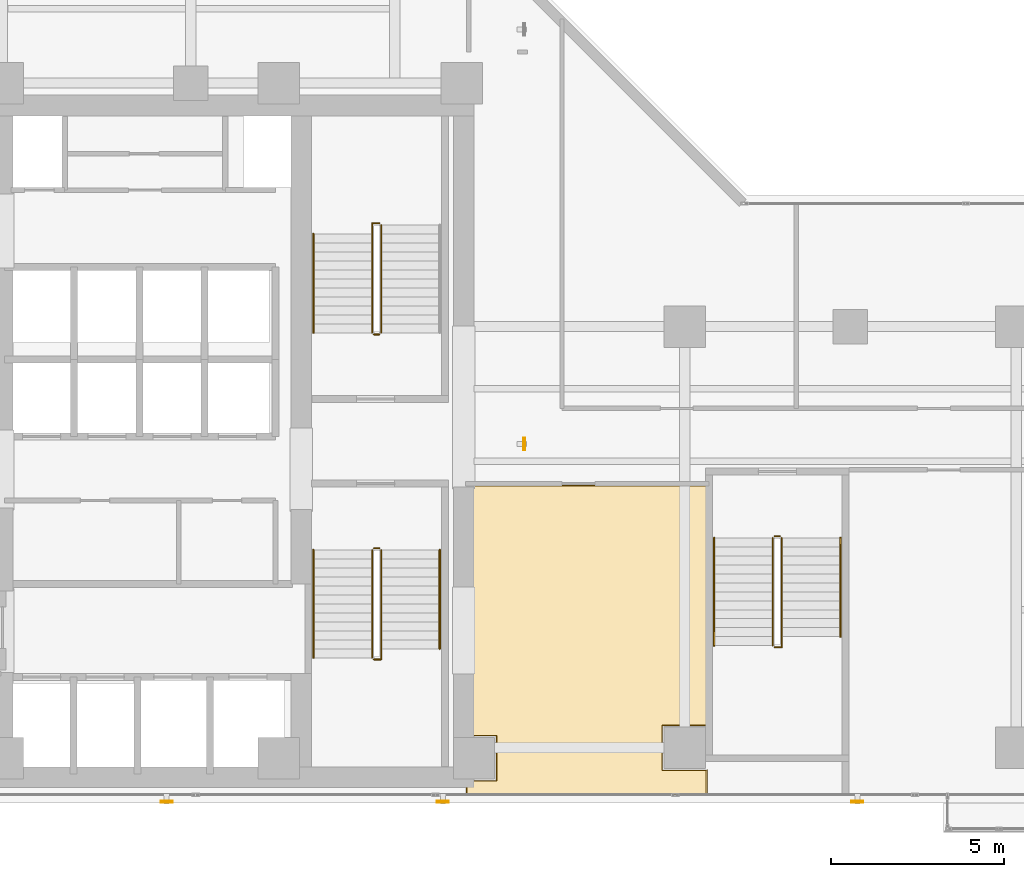
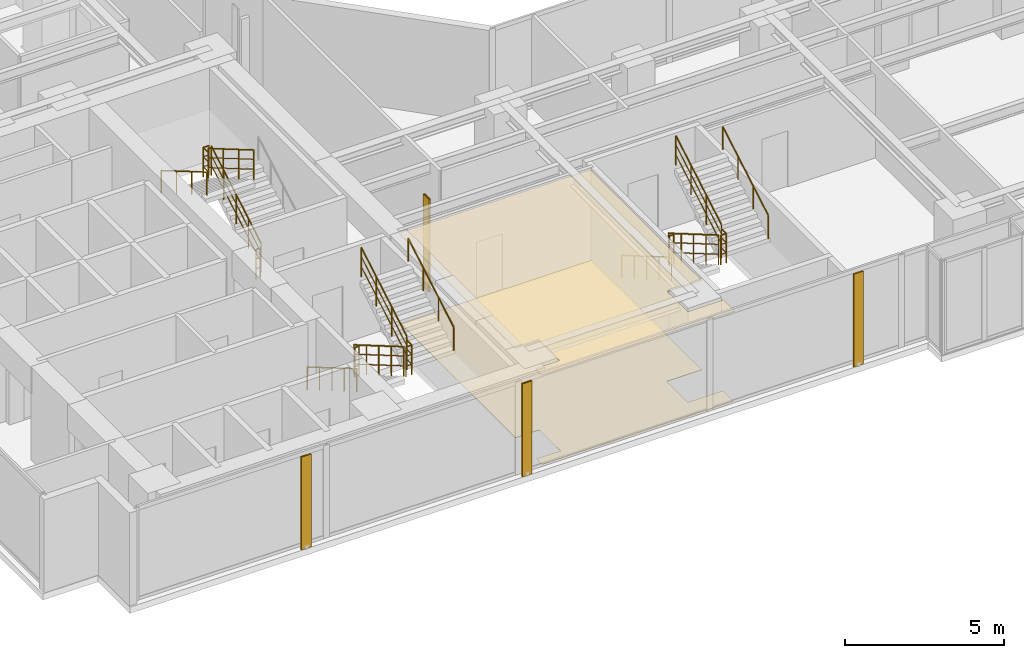
# One storey, part 24 of 27: 17 railings, 4 shading devices, 2 coverings.
"""IFC4 building model written with IfcOpenShell, lengths in metres."""

from ifc_helpers import new_model, si_unit, direction, frame, origin, origin_2d, place, context, subcontext, project, spatial, polyline, hollow_rectangle, circle, outline, extrude, material, layer, layer_set, material_profile, profile_set, type_object, element, save


model = new_model("IFC4")

# Units and contexts
model_context = context("Model", 3, precision=1e-05, world=origin(), true_north=direction((0.0, 1.0)))
body_context = subcontext(model_context, "Body", "Model", "MODEL_VIEW")
ifc_project = project(units=[si_unit("LENGTHUNIT", "METRE"), si_unit("AREAUNIT", "SQUARE_METRE"), si_unit("VOLUMEUNIT", "CUBIC_METRE"), si_unit("PLANEANGLEUNIT", "RADIAN"), si_unit("MASSUNIT", "GRAM", prefix="KILO")], contexts=[model_context])

# Site, building, storey
site_placement = place(None, origin())
site = spatial("IfcSite", under=ifc_project, at=site_placement, CompositionType="ELEMENT")
building_placement = place(site_placement, origin())
building = spatial("IfcBuilding", under=site, at=building_placement, Name="Kolvaren Waterfront Exchange", CompositionType="ELEMENT")
storey_placement = place(building_placement, frame((0.0, 0.0, 176.60009765625)))
storey = spatial("IfcBuildingStorey", under=building, at=storey_placement, Name="L45", CompositionType="ELEMENT", Elevation=176.60009765625)

# Covering
ifc_material_1 = material(Name="Mineral fibre acoustic ceiling tile")
ifc_layer_1 = layer(ifc_material_1, 0.02490234375, Name="Mineral fibre acoustic ceiling tile")
ifc_layer_set_1 = layer_set([ifc_layer_1], Name="Mineral fibre acoustic ceiling tile")
covering_type_1 = type_object("IfcCoveringType", Name="ARC-CEIL-ACOUSTIC-25", PredefinedType="CEILING", material=ifc_layer_set_1)
covering_1_placement = place(storey_placement, frame((0.0, 0.0, 3.44482421875)))
element("IfcCovering", 1, at=covering_1_placement, inside=storey, type_object=covering_type_1, Name="L45 acoustic suspended ceiling 3", PredefinedType="CEILING", context=body_context, shape_type="SweptSolid", body=[
    extrude(outline(polyline([(20.864990234375, 5.5400390625), (21.739990234375, 5.5400390625), (21.739990234375, 4.260009765625), (20.864990234375, 4.260009765625), (20.864990234375, 3.844970703125), (27.85498046875, 3.844970703125), (27.85498046875, 4.574951171875), (27.840087890625, 4.574951171875), (27.840087890625, 4.56005859375), (26.56005859375, 4.56005859375), (26.56005859375, 5.840087890625), (27.800048828125, 5.840087890625), (27.800048828125, 12.81494140625), (20.864990234375, 12.81494140625), (20.864990234375, 5.5400390625)])), origin(), (0.0, 0.0, 1.0), 0.025146484375),
])

# Shading devices
ifc_material_2 = material(Name="Anodised bronze aluminium 6063-T6", Category="aluminium")
ifc_material_profile = material_profile(ifc_material_2, hollow_rectangle(XDim=0.06005859375, YDim=0.35009765625, WallThickness=0.0048828125, at=origin_2d()), Name="BRZ-FIN-350x60x5")
ifc_profile_set = profile_set([ifc_material_profile], Name="Anodised bronze aluminium 6063-T6")
shading_device_type = type_object("IfcShadingDeviceType", Name="ARC-FIN-350", PredefinedType="USERDEFINED", material=ifc_profile_set)
for number, where, z_axis, x_axis, name in (
    (2, (12.199951171875, 3.639892578125, 0.0), (0.0, 0.0, 1.0), (0.0, -1.0, 0.0), "L45 anodised bronze solar shading fin FIN-L45-S1"),
    (3, (20.199951171875, 3.639892578125, 0.0), (0.0, 0.0, 1.0), (0.0, -1.0, 0.0), "L45 anodised bronze solar shading fin FIN-L45-S2"),
    (4, (32.199951171875, 3.639892578125, 0.0), (0.0, 0.0, 1.0), (0.0, -1.0, 0.0), "L45 anodised bronze solar shading fin FIN-L45-S3"),
    (5, (22.56005859375, 14.0, 0.0), (0.0, 0.0, 1.0), (1.0, 0.0, 0.0), "L45 anodised bronze solar shading fin FIN-L45-E1"),
):
    element("IfcShadingDevice", number, at=place(storey_placement, frame(where, z_axis=z_axis, x_axis=x_axis)), inside=storey, type_object=shading_device_type, Name=name, ObjectType="SOLAR FIN", PredefinedType="USERDEFINED", context=body_context, shape_type="SweptSolid", body=[
        extrude(hollow_rectangle(XDim=0.06005859375, YDim=0.35009765625, WallThickness=0.0048828125, at=origin_2d()), origin(), (0.0, 0.0, 1.0), 3.559814453125),
    ])

# Covering
ifc_material_3 = material(Name="Slip-resistant porcelain tile")
ifc_layer_2 = layer(ifc_material_3, 0.014892578125, Name="Slip-resistant porcelain tile")
ifc_layer_set_2 = layer_set([ifc_layer_2], Name="Slip-resistant porcelain tile")
covering_type_2 = type_object("IfcCoveringType", Name="ARC-FLR-PORC-15", PredefinedType="FLOORING", material=ifc_layer_set_2)
covering_2_placement = place(storey_placement, origin())
element("IfcCovering", 6, at=covering_2_placement, inside=storey, type_object=covering_type_2, Name="L45 floor finish 3", PredefinedType="FLOORING", context=body_context, shape_type="SweptSolid", body=[
    extrude(outline(polyline([(20.89990234375, 4.239990234375), (20.89990234375, 3.8798828125), (27.820068359375, 3.8798828125), (27.820068359375, 4.5400390625), (26.5400390625, 4.5400390625), (26.5400390625, 5.860107421875), (27.820068359375, 5.860107421875), (27.820068359375, 12.780029296875), (20.89990234375, 12.780029296875), (20.89990234375, 5.56005859375), (21.760009765625, 5.56005859375), (21.760009765625, 4.239990234375), (20.89990234375, 4.239990234375)])), origin(), (0.0, 0.0, 1.0), 0.014892578125),
])

# Railings
ifc_material_4 = material(Name="Stainless steel 316", Category="steel")
railing_type_1 = type_object("IfcRailingType", Name="ARC-GUARD-STAIR", PredefinedType="GUARDRAIL", material=ifc_material_4)
railing_1_placement = place(storey_placement, frame((18.14990234375, 10.929931640625, 0.15185546875)))
element("IfcRailing", 7, at=railing_1_placement, inside=storey, type_object=railing_type_1, Name="L45 ST1 stair guard 1", PredefinedType="GUARDRAIL", context=body_context, shape_type="SweptSolid", body=[
    extrude(circle(Radius=0.02392578125, at=origin_2d()), frame((0.0, 0.0, 1.1259765625), z_axis=(0.0, -0.86329090724, 0.504706656858), x_axis=(1.0, 0.0, 0.0)), (0.0, 0.0, 1.0), 3.614013671875),
    extrude(circle(Radius=0.01611328125, at=origin_2d()), frame((0.0, 0.0, 0.390869140625), z_axis=(0.0, -0.86329090724, 0.504706656858), x_axis=(1.0, 0.0, 0.0)), (0.0, 0.0, 1.0), 3.614013671875),
    extrude(circle(Radius=0.01611328125, at=origin_2d()), frame((0.0, 0.0, 0.7705078125), z_axis=(0.0, -0.86329090724, 0.504706656858), x_axis=(1.0, 0.0, 0.0)), (0.0, 0.0, 1.0), 3.614013671875),
    extrude(circle(Radius=0.02099609375, at=origin_2d()), origin(), (0.0, 0.0, 1.0), 1.101806640625),
    extrude(circle(Radius=0.02099609375, at=origin_2d()), frame((0.0, -0.780029296875, 0.4560546875)), (0.0, 0.0, 1.0), 1.101806640625),
    extrude(circle(Radius=0.02099609375, at=origin_2d()), frame((0.0, -1.56005859375, 0.912109375)), (0.0, 0.0, 1.0), 1.101806640625),
    extrude(circle(Radius=0.02099609375, at=origin_2d()), frame((0.0, -2.33984375, 1.367919921875)), (0.0, 0.0, 1.0), 1.101806640625),
    extrude(circle(Radius=0.02099609375, at=origin_2d()), frame((0.0, -3.119873046875, 1.823974609375)), (0.0, 0.0, 1.0), 1.101806640625),
])
railing_2_placement = place(storey_placement, frame((18.199951171875, 7.760009765625, 1.975830078125)))
element("IfcRailing", 8, at=railing_2_placement, inside=storey, type_object=railing_type_1, Name="L45 ST1 stair guard 2", PredefinedType="GUARDRAIL", context=body_context, shape_type="SweptSolid", body=[
    extrude(circle(Radius=0.02392578125, at=origin_2d()), frame((0.0, 0.0, 1.1259765625), z_axis=(1.0, 0.0, 0.0), x_axis=(0.0, 1.0, 0.0)), (0.0, 0.0, 1.0), 0.2099609375),
    extrude(circle(Radius=0.01611328125, at=origin_2d()), frame((0.0, 0.0, 0.390869140625), z_axis=(1.0, 0.0, 0.0), x_axis=(0.0, 1.0, 0.0)), (0.0, 0.0, 1.0), 0.2099609375),
    extrude(circle(Radius=0.01611328125, at=origin_2d()), frame((0.0, 0.0, 0.7705078125), z_axis=(1.0, 0.0, 0.0), x_axis=(0.0, 1.0, 0.0)), (0.0, 0.0, 1.0), 0.2099609375),
    extrude(circle(Radius=0.02392578125, at=origin_2d()), frame((0.2099609375, 0.0, 1.1259765625), z_axis=(0.0, 1.0, 0.0), x_axis=(-1.0, 0.0, 0.0)), (0.0, 0.0, 1.0), 0.31005859375),
    extrude(circle(Radius=0.01611328125, at=origin_2d()), frame((0.2099609375, 0.0, 0.390869140625), z_axis=(0.0, 1.0, 0.0), x_axis=(-1.0, 0.0, 0.0)), (0.0, 0.0, 1.0), 0.31005859375),
    extrude(circle(Radius=0.01611328125, at=origin_2d()), frame((0.2099609375, 0.0, 0.7705078125), z_axis=(0.0, 1.0, 0.0), x_axis=(-1.0, 0.0, 0.0)), (0.0, 0.0, 1.0), 0.31005859375),
    extrude(circle(Radius=0.02099609375, at=origin_2d()), origin(), (0.0, 0.0, 1.0), 1.101806640625),
    extrude(circle(Radius=0.02099609375, at=origin_2d()), frame((0.2099609375, 0.0, 0.0)), (0.0, 0.0, 1.0), 1.101806640625),
    extrude(circle(Radius=0.02099609375, at=origin_2d()), frame((0.2099609375, 0.31005859375, 0.0)), (0.0, 0.0, 1.0), 1.101806640625),
])
railing_3_placement = place(storey_placement, frame((18.409912109375, 8.070068359375, 2.1279296875)))
element("IfcRailing", 9, at=railing_3_placement, inside=storey, type_object=railing_type_1, Name="L45 ST1 stair guard 3", PredefinedType="GUARDRAIL", context=body_context, shape_type="SweptSolid", body=[
    extrude(circle(Radius=0.02392578125, at=origin_2d()), frame((0.0, 0.0, 1.1259765625), z_axis=(0.0, 0.86330272217, 0.504686447108), x_axis=(-1.0, 0.0, 0.0)), (0.0, 0.0, 1.0), 3.312744140625),
    extrude(circle(Radius=0.01611328125, at=origin_2d()), frame((0.0, 0.0, 0.390869140625), z_axis=(0.0, 0.86330272217, 0.504686447108), x_axis=(-1.0, 0.0, 0.0)), (0.0, 0.0, 1.0), 3.312744140625),
    extrude(circle(Radius=0.01611328125, at=origin_2d()), frame((0.0, 0.0, 0.7705078125), z_axis=(0.0, 0.86330272217, 0.504686447108), x_axis=(-1.0, 0.0, 0.0)), (0.0, 0.0, 1.0), 3.312744140625),
    extrude(circle(Radius=0.02099609375, at=origin_2d()), origin(), (0.0, 0.0, 1.0), 1.101806640625),
    extrude(circle(Radius=0.02099609375, at=origin_2d()), frame((0.0, 0.953369140625, 0.557373046875)), (0.0, 0.0, 1.0), 1.101806640625),
    extrude(circle(Radius=0.02099609375, at=origin_2d()), frame((0.0, 1.906494140625, 1.114501953125)), (0.0, 0.0, 1.0), 1.101806640625),
    extrude(circle(Radius=0.02099609375, at=origin_2d()), frame((0.0, 2.85986328125, 1.671875)), (0.0, 0.0, 1.0), 1.101806640625),
])
railing_4_placement = place(storey_placement, frame((18.199951171875, 10.97998046875, 0.0)))
element("IfcRailing", 10, at=railing_4_placement, inside=storey, type_object=railing_type_1, Name="L45 ST1 stair guard 4", PredefinedType="GUARDRAIL", context=body_context, shape_type="SweptSolid", body=[
    extrude(circle(Radius=0.02392578125, at=origin_2d()), frame((0.0, 0.0, 1.1259765625), z_axis=(1.0, 0.0, 0.0), x_axis=(0.0, 1.0, 0.0)), (0.0, 0.0, 1.0), 0.16015625),
    extrude(circle(Radius=0.01611328125, at=origin_2d()), frame((0.0, 0.0, 0.390869140625), z_axis=(1.0, 0.0, 0.0), x_axis=(0.0, 1.0, 0.0)), (0.0, 0.0, 1.0), 0.16015625),
    extrude(circle(Radius=0.01611328125, at=origin_2d()), frame((0.0, 0.0, 0.7705078125), z_axis=(1.0, 0.0, 0.0), x_axis=(0.0, 1.0, 0.0)), (0.0, 0.0, 1.0), 0.16015625),
    extrude(circle(Radius=0.02099609375, at=origin_2d()), origin(), (0.0, 0.0, 1.0), 1.101806640625),
    extrude(circle(Radius=0.02099609375, at=origin_2d()), frame((0.16015625, 0.0, 0.0)), (0.0, 0.0, 1.0), 1.101806640625),
])
railing_5_placement = place(storey_placement, frame((18.409912109375, 17.219970703125, 0.15185546875)))
element("IfcRailing", 11, at=railing_5_placement, inside=storey, type_object=railing_type_1, Name="L45 ST2 stair guard 1", PredefinedType="GUARDRAIL", context=body_context, shape_type="SweptSolid", body=[
    extrude(circle(Radius=0.02392578125, at=origin_2d()), frame((0.0, 0.0, 1.1259765625), z_axis=(0.0, 0.86330811405, 0.504677223793), x_axis=(-1.0, 0.0, 0.0)), (0.0, 0.0, 1.0), 3.6142578125),
    extrude(circle(Radius=0.01611328125, at=origin_2d()), frame((0.0, 0.0, 0.390869140625), z_axis=(0.0, 0.86330811405, 0.504677223793), x_axis=(-1.0, 0.0, 0.0)), (0.0, 0.0, 1.0), 3.6142578125),
    extrude(circle(Radius=0.01611328125, at=origin_2d()), frame((0.0, 0.0, 0.7705078125), z_axis=(0.0, 0.86330811405, 0.504677223793), x_axis=(-1.0, 0.0, 0.0)), (0.0, 0.0, 1.0), 3.6142578125),
    extrude(circle(Radius=0.02099609375, at=origin_2d()), origin(), (0.0, 0.0, 1.0), 1.101806640625),
    extrude(circle(Radius=0.02099609375, at=origin_2d()), frame((0.0, 0.780029296875, 0.4560546875)), (0.0, 0.0, 1.0), 1.101806640625),
    extrude(circle(Radius=0.02099609375, at=origin_2d()), frame((0.0, 1.56005859375, 0.912109375)), (0.0, 0.0, 1.0), 1.101806640625),
    extrude(circle(Radius=0.02099609375, at=origin_2d()), frame((0.0, 2.340087890625, 1.367919921875)), (0.0, 0.0, 1.0), 1.101806640625),
    extrude(circle(Radius=0.02099609375, at=origin_2d()), frame((0.0, 3.1201171875, 1.823974609375)), (0.0, 0.0, 1.0), 1.101806640625),
])
railing_6_placement = place(storey_placement, frame((18.360107421875, 20.389892578125, 1.975830078125)))
element("IfcRailing", 12, at=railing_6_placement, inside=storey, type_object=railing_type_1, Name="L45 ST2 stair guard 2", PredefinedType="GUARDRAIL", context=body_context, shape_type="SweptSolid", body=[
    extrude(circle(Radius=0.02392578125, at=origin_2d()), frame((0.0, 0.0, 1.1259765625), z_axis=(-1.0, 0.0, 0.0), x_axis=(0.0, -1.0, 0.0)), (0.0, 0.0, 1.0), 0.210205078125),
    extrude(circle(Radius=0.01611328125, at=origin_2d()), frame((0.0, 0.0, 0.390869140625), z_axis=(-1.0, 0.0, 0.0), x_axis=(0.0, -1.0, 0.0)), (0.0, 0.0, 1.0), 0.210205078125),
    extrude(circle(Radius=0.01611328125, at=origin_2d()), frame((0.0, 0.0, 0.7705078125), z_axis=(-1.0, 0.0, 0.0), x_axis=(0.0, -1.0, 0.0)), (0.0, 0.0, 1.0), 0.210205078125),
    extrude(circle(Radius=0.02392578125, at=origin_2d()), frame((-0.210205078125, 0.0, 1.1259765625), z_axis=(0.0, -1.0, 0.0), x_axis=(1.0, 0.0, 0.0)), (0.0, 0.0, 1.0), 0.309814453125),
    extrude(circle(Radius=0.01611328125, at=origin_2d()), frame((-0.210205078125, 0.0, 0.390869140625), z_axis=(0.0, -1.0, 0.0), x_axis=(1.0, 0.0, 0.0)), (0.0, 0.0, 1.0), 0.309814453125),
    extrude(circle(Radius=0.01611328125, at=origin_2d()), frame((-0.210205078125, 0.0, 0.7705078125), z_axis=(0.0, -1.0, 0.0), x_axis=(1.0, 0.0, 0.0)), (0.0, 0.0, 1.0), 0.309814453125),
    extrude(circle(Radius=0.02099609375, at=origin_2d()), origin(), (0.0, 0.0, 1.0), 1.101806640625),
    extrude(circle(Radius=0.02099609375, at=origin_2d()), frame((-0.210205078125, 0.0, 0.0)), (0.0, 0.0, 1.0), 1.101806640625),
    extrude(circle(Radius=0.02099609375, at=origin_2d()), frame((-0.210205078125, -0.309814453125, 0.0)), (0.0, 0.0, 1.0), 1.101806640625),
])
railing_7_placement = place(storey_placement, frame((18.14990234375, 20.080078125, 2.1279296875)))
element("IfcRailing", 13, at=railing_7_placement, inside=storey, type_object=railing_type_1, Name="L45 ST2 stair guard 3", PredefinedType="GUARDRAIL", context=body_context, shape_type="SweptSolid", body=[
    extrude(circle(Radius=0.02392578125, at=origin_2d()), frame((0.0, 0.0, 1.1259765625), z_axis=(0.0, -0.863321491973, 0.504654338629), x_axis=(1.0, 0.0, 0.0)), (0.0, 0.0, 1.0), 3.31298828125),
    extrude(circle(Radius=0.01611328125, at=origin_2d()), frame((0.0, 0.0, 0.390869140625), z_axis=(0.0, -0.863321491973, 0.504654338629), x_axis=(1.0, 0.0, 0.0)), (0.0, 0.0, 1.0), 3.31298828125),
    extrude(circle(Radius=0.01611328125, at=origin_2d()), frame((0.0, 0.0, 0.7705078125), z_axis=(0.0, -0.863321491973, 0.504654338629), x_axis=(1.0, 0.0, 0.0)), (0.0, 0.0, 1.0), 3.31298828125),
    extrude(circle(Radius=0.02099609375, at=origin_2d()), origin(), (0.0, 0.0, 1.0), 1.101806640625),
    extrude(circle(Radius=0.02099609375, at=origin_2d()), frame((0.0, -0.953369140625, 0.557373046875)), (0.0, 0.0, 1.0), 1.101806640625),
    extrude(circle(Radius=0.02099609375, at=origin_2d()), frame((0.0, -1.90673828125, 1.114501953125)), (0.0, 0.0, 1.0), 1.101806640625),
    extrude(circle(Radius=0.02099609375, at=origin_2d()), frame((0.0, -2.860107421875, 1.671875)), (0.0, 0.0, 1.0), 1.101806640625),
])
railing_8_placement = place(storey_placement, frame((18.360107421875, 17.169921875, 0.0)))
element("IfcRailing", 14, at=railing_8_placement, inside=storey, type_object=railing_type_1, Name="L45 ST2 stair guard 4", PredefinedType="GUARDRAIL", context=body_context, shape_type="SweptSolid", body=[
    extrude(circle(Radius=0.02392578125, at=origin_2d()), frame((0.0, 0.0, 1.1259765625), z_axis=(-1.0, 0.0, 0.0), x_axis=(0.0, -1.0, 0.0)), (0.0, 0.0, 1.0), 0.16015625),
    extrude(circle(Radius=0.01611328125, at=origin_2d()), frame((0.0, 0.0, 0.390869140625), z_axis=(-1.0, 0.0, 0.0), x_axis=(0.0, -1.0, 0.0)), (0.0, 0.0, 1.0), 0.16015625),
    extrude(circle(Radius=0.01611328125, at=origin_2d()), frame((0.0, 0.0, 0.7705078125), z_axis=(-1.0, 0.0, 0.0), x_axis=(0.0, -1.0, 0.0)), (0.0, 0.0, 1.0), 0.16015625),
    extrude(circle(Radius=0.02099609375, at=origin_2d()), origin(), (0.0, 0.0, 1.0), 1.101806640625),
    extrude(circle(Radius=0.02099609375, at=origin_2d()), frame((-0.16015625, 0.0, 0.0)), (0.0, 0.0, 1.0), 1.101806640625),
])
railing_9_placement = place(storey_placement, frame((29.75, 11.280029296875, 0.15185546875)))
element("IfcRailing", 15, at=railing_9_placement, inside=storey, type_object=railing_type_1, Name="L45 ST3 stair guard 1", PredefinedType="GUARDRAIL", context=body_context, shape_type="SweptSolid", body=[
    extrude(circle(Radius=0.02392578125, at=origin_2d()), frame((0.0, 0.0, 1.1259765625), z_axis=(0.0, -0.86330811405, 0.504677223793), x_axis=(1.0, 0.0, 0.0)), (0.0, 0.0, 1.0), 3.6142578125),
    extrude(circle(Radius=0.01611328125, at=origin_2d()), frame((0.0, 0.0, 0.390869140625), z_axis=(0.0, -0.86330811405, 0.504677223793), x_axis=(1.0, 0.0, 0.0)), (0.0, 0.0, 1.0), 3.6142578125),
    extrude(circle(Radius=0.01611328125, at=origin_2d()), frame((0.0, 0.0, 0.7705078125), z_axis=(0.0, -0.86330811405, 0.504677223793), x_axis=(1.0, 0.0, 0.0)), (0.0, 0.0, 1.0), 3.6142578125),
    extrude(circle(Radius=0.02099609375, at=origin_2d()), origin(), (0.0, 0.0, 1.0), 1.101806640625),
    extrude(circle(Radius=0.02099609375, at=origin_2d()), frame((0.0, -0.780029296875, 0.4560546875)), (0.0, 0.0, 1.0), 1.101806640625),
    extrude(circle(Radius=0.02099609375, at=origin_2d()), frame((0.0, -1.56005859375, 0.912109375)), (0.0, 0.0, 1.0), 1.101806640625),
    extrude(circle(Radius=0.02099609375, at=origin_2d()), frame((0.0, -2.340087890625, 1.367919921875)), (0.0, 0.0, 1.0), 1.101806640625),
    extrude(circle(Radius=0.02099609375, at=origin_2d()), frame((0.0, -3.1201171875, 1.823974609375)), (0.0, 0.0, 1.0), 1.101806640625),
])
railing_10_placement = place(storey_placement, frame((29.800048828125, 8.110107421875, 1.975830078125)))
element("IfcRailing", 16, at=railing_10_placement, inside=storey, type_object=railing_type_1, Name="L45 ST3 stair guard 2", PredefinedType="GUARDRAIL", context=body_context, shape_type="SweptSolid", body=[
    extrude(circle(Radius=0.02392578125, at=origin_2d()), frame((0.0, 0.0, 1.1259765625), z_axis=(1.0, 0.0, 0.0), x_axis=(0.0, 1.0, 0.0)), (0.0, 0.0, 1.0), 0.2099609375),
    extrude(circle(Radius=0.01611328125, at=origin_2d()), frame((0.0, 0.0, 0.390869140625), z_axis=(1.0, 0.0, 0.0), x_axis=(0.0, 1.0, 0.0)), (0.0, 0.0, 1.0), 0.2099609375),
    extrude(circle(Radius=0.01611328125, at=origin_2d()), frame((0.0, 0.0, 0.7705078125), z_axis=(1.0, 0.0, 0.0), x_axis=(0.0, 1.0, 0.0)), (0.0, 0.0, 1.0), 0.2099609375),
    extrude(circle(Radius=0.02392578125, at=origin_2d()), frame((0.2099609375, 0.0, 1.1259765625), z_axis=(0.0, 1.0, 0.0), x_axis=(-1.0, 0.0, 0.0)), (0.0, 0.0, 1.0), 0.309814453125),
    extrude(circle(Radius=0.01611328125, at=origin_2d()), frame((0.2099609375, 0.0, 0.390869140625), z_axis=(0.0, 1.0, 0.0), x_axis=(-1.0, 0.0, 0.0)), (0.0, 0.0, 1.0), 0.309814453125),
    extrude(circle(Radius=0.01611328125, at=origin_2d()), frame((0.2099609375, 0.0, 0.7705078125), z_axis=(0.0, 1.0, 0.0), x_axis=(-1.0, 0.0, 0.0)), (0.0, 0.0, 1.0), 0.309814453125),
    extrude(circle(Radius=0.02099609375, at=origin_2d()), origin(), (0.0, 0.0, 1.0), 1.101806640625),
    extrude(circle(Radius=0.02099609375, at=origin_2d()), frame((0.2099609375, 0.0, 0.0)), (0.0, 0.0, 1.0), 1.101806640625),
    extrude(circle(Radius=0.02099609375, at=origin_2d()), frame((0.2099609375, 0.309814453125, 0.0)), (0.0, 0.0, 1.0), 1.101806640625),
])
railing_11_placement = place(storey_placement, frame((30.010009765625, 8.419921875, 2.1279296875)))
element("IfcRailing", 17, at=railing_11_placement, inside=storey, type_object=railing_type_1, Name="L45 ST3 stair guard 3", PredefinedType="GUARDRAIL", context=body_context, shape_type="SweptSolid", body=[
    extrude(circle(Radius=0.02392578125, at=origin_2d()), frame((0.0, 0.0, 1.1259765625), z_axis=(0.0, 0.863321491973, 0.504654338629), x_axis=(-1.0, 0.0, 0.0)), (0.0, 0.0, 1.0), 3.31298828125),
    extrude(circle(Radius=0.01611328125, at=origin_2d()), frame((0.0, 0.0, 0.390869140625), z_axis=(0.0, 0.863321491973, 0.504654338629), x_axis=(-1.0, 0.0, 0.0)), (0.0, 0.0, 1.0), 3.31298828125),
    extrude(circle(Radius=0.01611328125, at=origin_2d()), frame((0.0, 0.0, 0.7705078125), z_axis=(0.0, 0.863321491973, 0.504654338629), x_axis=(-1.0, 0.0, 0.0)), (0.0, 0.0, 1.0), 3.31298828125),
    extrude(circle(Radius=0.02099609375, at=origin_2d()), origin(), (0.0, 0.0, 1.0), 1.101806640625),
    extrude(circle(Radius=0.02099609375, at=origin_2d()), frame((0.0, 0.953369140625, 0.557373046875)), (0.0, 0.0, 1.0), 1.101806640625),
    extrude(circle(Radius=0.02099609375, at=origin_2d()), frame((0.0, 1.90673828125, 1.114501953125)), (0.0, 0.0, 1.0), 1.101806640625),
    extrude(circle(Radius=0.02099609375, at=origin_2d()), frame((0.0, 2.860107421875, 1.671875)), (0.0, 0.0, 1.0), 1.101806640625),
])
railing_12_placement = place(storey_placement, frame((29.800048828125, 11.330078125, 0.0)))
element("IfcRailing", 18, at=railing_12_placement, inside=storey, type_object=railing_type_1, Name="L45 ST3 stair guard 4", PredefinedType="GUARDRAIL", context=body_context, shape_type="SweptSolid", body=[
    extrude(circle(Radius=0.02392578125, at=origin_2d()), frame((0.0, 0.0, 1.1259765625), z_axis=(1.0, 0.0, 0.0), x_axis=(0.0, 1.0, 0.0)), (0.0, 0.0, 1.0), 0.159912109375),
    extrude(circle(Radius=0.01611328125, at=origin_2d()), frame((0.0, 0.0, 0.390869140625), z_axis=(1.0, 0.0, 0.0), x_axis=(0.0, 1.0, 0.0)), (0.0, 0.0, 1.0), 0.159912109375),
    extrude(circle(Radius=0.01611328125, at=origin_2d()), frame((0.0, 0.0, 0.7705078125), z_axis=(1.0, 0.0, 0.0), x_axis=(0.0, 1.0, 0.0)), (0.0, 0.0, 1.0), 0.159912109375),
    extrude(circle(Radius=0.02099609375, at=origin_2d()), origin(), (0.0, 0.0, 1.0), 1.101806640625),
    extrude(circle(Radius=0.02099609375, at=origin_2d()), frame((0.159912109375, 0.0, 0.0)), (0.0, 0.0, 1.0), 1.101806640625),
])
railing_type_2 = type_object("IfcRailingType", Name="ARC-HANDRAIL-900", PredefinedType="HANDRAIL", material=ifc_material_4)
railing_13_placement = place(storey_placement, frame((16.449951171875, 10.929931640625, 0.15185546875)))
element("IfcRailing", 19, at=railing_13_placement, inside=storey, type_object=railing_type_2, Name="L45 ST1 stair handrail 1", PredefinedType="HANDRAIL", context=body_context, shape_type="SweptSolid", body=[
    extrude(circle(Radius=0.02392578125, at=origin_2d()), frame((0.0, 0.0, 0.8759765625), z_axis=(0.0, -0.86329090724, 0.504706656858), x_axis=(1.0, 0.0, 0.0)), (0.0, 0.0, 1.0), 3.614013671875),
    extrude(circle(Radius=0.02099609375, at=origin_2d()), origin(), (0.0, 0.0, 1.0), 0.851806640625),
    extrude(circle(Radius=0.02099609375, at=origin_2d()), frame((0.0, -0.780029296875, 0.4560546875)), (0.0, 0.0, 1.0), 0.851806640625),
    extrude(circle(Radius=0.02099609375, at=origin_2d()), frame((0.0, -1.56005859375, 0.912109375)), (0.0, 0.0, 1.0), 0.851806640625),
    extrude(circle(Radius=0.02099609375, at=origin_2d()), frame((0.0, -2.33984375, 1.367919921875)), (0.0, 0.0, 1.0), 0.851806640625),
    extrude(circle(Radius=0.02099609375, at=origin_2d()), frame((0.0, -3.119873046875, 1.823974609375)), (0.0, 0.0, 1.0), 0.851806640625),
])
railing_14_placement = place(storey_placement, frame((20.110107421875, 8.070068359375, 2.1279296875)))
element("IfcRailing", 20, at=railing_14_placement, inside=storey, type_object=railing_type_2, Name="L45 ST1 stair handrail 2", PredefinedType="HANDRAIL", context=body_context, shape_type="SweptSolid", body=[
    extrude(circle(Radius=0.02392578125, at=origin_2d()), frame((0.0, 0.0, 0.8759765625), z_axis=(0.0, 0.86330272217, 0.504686447108), x_axis=(-1.0, 0.0, 0.0)), (0.0, 0.0, 1.0), 3.312744140625),
    extrude(circle(Radius=0.02099609375, at=origin_2d()), origin(), (0.0, 0.0, 1.0), 0.851806640625),
    extrude(circle(Radius=0.02099609375, at=origin_2d()), frame((0.0, 0.953369140625, 0.557373046875)), (0.0, 0.0, 1.0), 0.851806640625),
    extrude(circle(Radius=0.02099609375, at=origin_2d()), frame((0.0, 1.906494140625, 1.114501953125)), (0.0, 0.0, 1.0), 0.851806640625),
    extrude(circle(Radius=0.02099609375, at=origin_2d()), frame((0.0, 2.85986328125, 1.671875)), (0.0, 0.0, 1.0), 0.851806640625),
])
railing_15_placement = place(storey_placement, frame((16.449951171875, 20.080078125, 2.1279296875)))
element("IfcRailing", 21, at=railing_15_placement, inside=storey, type_object=railing_type_2, Name="L45 ST2 stair handrail 2", PredefinedType="HANDRAIL", context=body_context, shape_type="SweptSolid", body=[
    extrude(circle(Radius=0.02392578125, at=origin_2d()), frame((0.0, 0.0, 0.8759765625), z_axis=(0.0, -0.863321491973, 0.504654338629), x_axis=(1.0, 0.0, 0.0)), (0.0, 0.0, 1.0), 3.31298828125),
    extrude(circle(Radius=0.02099609375, at=origin_2d()), origin(), (0.0, 0.0, 1.0), 0.851806640625),
    extrude(circle(Radius=0.02099609375, at=origin_2d()), frame((0.0, -0.953369140625, 0.557373046875)), (0.0, 0.0, 1.0), 0.851806640625),
    extrude(circle(Radius=0.02099609375, at=origin_2d()), frame((0.0, -1.90673828125, 1.114501953125)), (0.0, 0.0, 1.0), 0.851806640625),
    extrude(circle(Radius=0.02099609375, at=origin_2d()), frame((0.0, -2.860107421875, 1.671875)), (0.0, 0.0, 1.0), 0.851806640625),
])
railing_16_placement = place(storey_placement, frame((28.050048828125, 11.280029296875, 0.15185546875)))
element("IfcRailing", 22, at=railing_16_placement, inside=storey, type_object=railing_type_2, Name="L45 ST3 stair handrail 1", PredefinedType="HANDRAIL", context=body_context, shape_type="SweptSolid", body=[
    extrude(circle(Radius=0.02392578125, at=origin_2d()), frame((0.0, 0.0, 0.8759765625), z_axis=(0.0, -0.86330811405, 0.504677223793), x_axis=(1.0, 0.0, 0.0)), (0.0, 0.0, 1.0), 3.6142578125),
    extrude(circle(Radius=0.02099609375, at=origin_2d()), origin(), (0.0, 0.0, 1.0), 0.851806640625),
    extrude(circle(Radius=0.02099609375, at=origin_2d()), frame((0.0, -0.780029296875, 0.4560546875)), (0.0, 0.0, 1.0), 0.851806640625),
    extrude(circle(Radius=0.02099609375, at=origin_2d()), frame((0.0, -1.56005859375, 0.912109375)), (0.0, 0.0, 1.0), 0.851806640625),
    extrude(circle(Radius=0.02099609375, at=origin_2d()), frame((0.0, -2.340087890625, 1.367919921875)), (0.0, 0.0, 1.0), 0.851806640625),
    extrude(circle(Radius=0.02099609375, at=origin_2d()), frame((0.0, -3.1201171875, 1.823974609375)), (0.0, 0.0, 1.0), 0.851806640625),
])
railing_17_placement = place(storey_placement, frame((31.7099609375, 8.419921875, 2.1279296875)))
element("IfcRailing", 23, at=railing_17_placement, inside=storey, type_object=railing_type_2, Name="L45 ST3 stair handrail 2", PredefinedType="HANDRAIL", context=body_context, shape_type="SweptSolid", body=[
    extrude(circle(Radius=0.02392578125, at=origin_2d()), frame((0.0, 0.0, 0.8759765625), z_axis=(0.0, 0.863321491973, 0.504654338629), x_axis=(-1.0, 0.0, 0.0)), (0.0, 0.0, 1.0), 3.31298828125),
    extrude(circle(Radius=0.02099609375, at=origin_2d()), origin(), (0.0, 0.0, 1.0), 0.851806640625),
    extrude(circle(Radius=0.02099609375, at=origin_2d()), frame((0.0, 0.953369140625, 0.557373046875)), (0.0, 0.0, 1.0), 0.851806640625),
    extrude(circle(Radius=0.02099609375, at=origin_2d()), frame((0.0, 1.90673828125, 1.114501953125)), (0.0, 0.0, 1.0), 0.851806640625),
    extrude(circle(Radius=0.02099609375, at=origin_2d()), frame((0.0, 2.860107421875, 1.671875)), (0.0, 0.0, 1.0), 0.851806640625),
])

save(model, "model.ifc")
